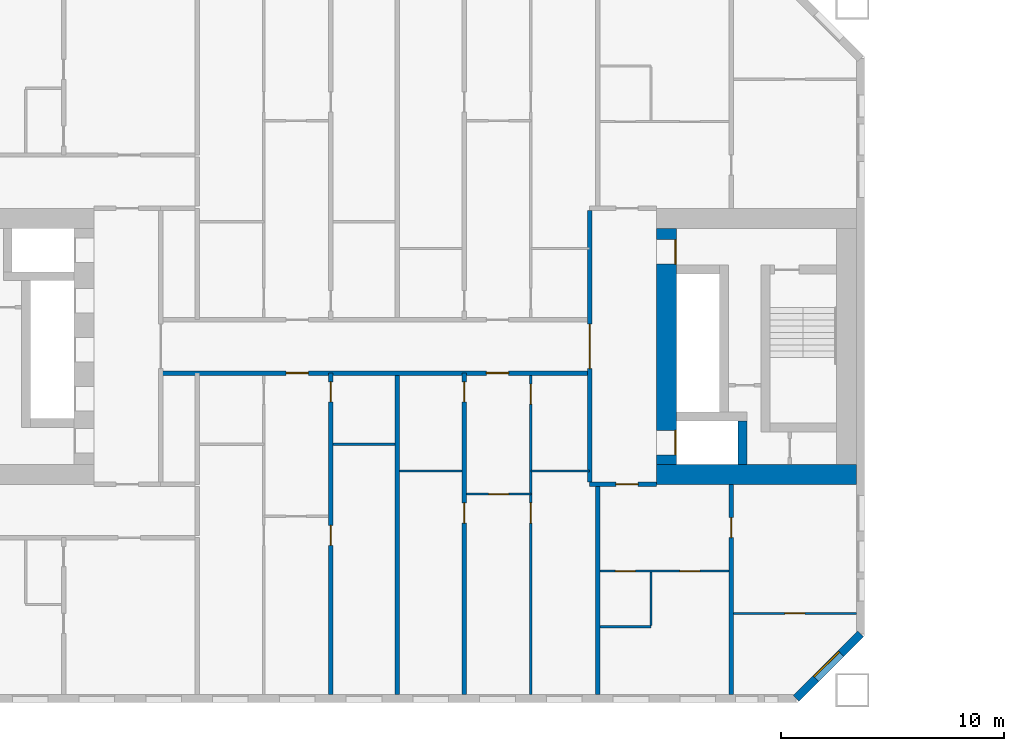
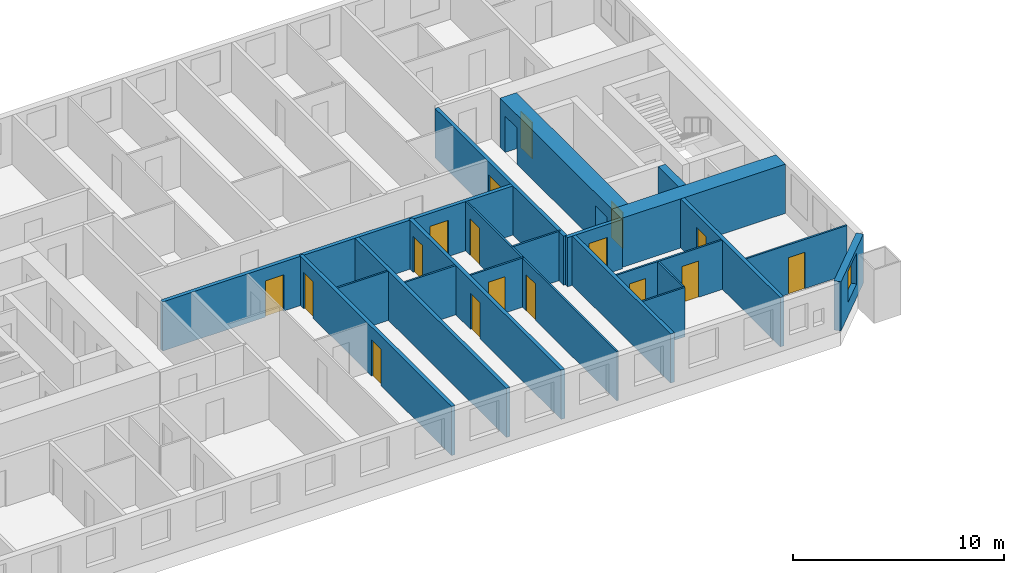
# One storey, part 6 of 16: 21 walls, 17 doors, 1 window, 18 openings.
"""IFC4 building model written with IfcOpenShell, lengths in metres."""

import ifcopenshell
import ifcopenshell.guid

model = None  # the IFC model being written
_history = None  # IfcOwnerHistory: only IFC2X3 demands one
_inside = {}  # id of a spatial element -> (the spatial element, [elements in it])
_under = {}  # id of a project, library or spatial element -> (it, [spatial elements below it])
_declared = {}  # id of a project -> (the project, [libraries it declares])
_typed = {}  # id of a type object -> (the type object, [elements of that type])
_made_of = {}  # id of a material, layer set ... -> (it, [elements and type objects made of it])


def new_model(schema):
    """Start an empty IFC model of exactly this schema.

    Asked for "IFC4X3", IfcOpenShell would pick the latest addendum, in which some entities
    have other attributes; the version numbers below select the first issue.
    IFC2X3 requires an IfcOwnerHistory on every rooted entity: one is made here for all.
    """
    global model, _history
    if schema == "IFC4X3":
        model = ifcopenshell.file(schema_version=(4, 3, 0, 0))
    else:
        model = ifcopenshell.file(schema=schema)
    _inside.clear()
    _under.clear()
    _declared.clear()
    _typed.clear()
    _made_of.clear()
    _history = None
    if model.schema == "IFC2X3":
        org = make("IfcOrganization", Name="unknown")
        user = make(
            "IfcPersonAndOrganization",
            ThePerson=make("IfcPerson", FamilyName="unknown"),
            TheOrganization=org,
        )
        app = make(
            "IfcApplication",
            ApplicationDeveloper=org,
            Version="unknown",
            ApplicationFullName="unknown",
            ApplicationIdentifier="unknown",
        )
        _history = make(
            "IfcOwnerHistory",
            OwningUser=user,
            OwningApplication=app,
            ChangeAction="ADDED",
            CreationDate=0,
        )
    return model


def make(cls, **values):
    """One entity of the class cls with the attributes given. An attribute that is None is left unset."""
    return model.create_entity(
        cls, **{name: value for name, value in values.items() if value is not None}
    )


def rooted(cls, **values):
    """An entity with a GlobalId (a new one), such as an element, a storey or a relation."""
    return make(cls, GlobalId=ifcopenshell.guid.new(), OwnerHistory=_history, **values)


def si_unit(unit_type, name, prefix=None):
    """IfcSIUnit, for example si_unit("LENGTHUNIT", "METRE", prefix="MILLI")."""
    return make("IfcSIUnit", UnitType=unit_type, Prefix=prefix, Name=name)


def assignment(units):
    """IfcUnitAssignment: the units of a project."""
    return None if units is None else make("IfcUnitAssignment", Units=units)


def point(xyz):
    """IfcCartesianPoint."""
    return None if xyz is None else make("IfcCartesianPoint", Coordinates=xyz)


def direction(xyz):
    """IfcDirection."""
    return None if xyz is None else make("IfcDirection", DirectionRatios=xyz)


def frame(location, z_axis=None, x_axis=None):
    """IfcAxis2Placement3D, a coordinate frame: its origin and axes. An axis left out is left unset."""
    return make(
        "IfcAxis2Placement3D",
        Location=point(location),
        Axis=direction(z_axis),
        RefDirection=direction(x_axis),
    )


def frame_2d(location, x_axis=None):
    """IfcAxis2Placement2D, a coordinate frame in the plane: its origin and x axis."""
    return make(
        "IfcAxis2Placement2D", Location=point(location), RefDirection=direction(x_axis)
    )


def origin():
    """The frame at (0, 0, 0) with its axes left unset."""
    return frame((0.0, 0.0, 0.0))


def place(relative_to, where):
    """IfcLocalPlacement: puts the frame where relative to a parent placement (None: the world)."""
    return make(
        "IfcLocalPlacement", PlacementRelTo=relative_to, RelativePlacement=where
    )


def context(
    kind, dimensions, precision=None, world=None, true_north=None, identifier=None
):
    """IfcGeometricRepresentationContext, for example the 3D "Model" context."""
    return make(
        "IfcGeometricRepresentationContext",
        ContextIdentifier=identifier,
        ContextType=kind,
        CoordinateSpaceDimension=dimensions,
        Precision=precision,
        WorldCoordinateSystem=world,
        TrueNorth=true_north,
    )


def subcontext(parent, identifier, kind, view, scale=None):
    """IfcGeometricRepresentationSubContext, for example "Body" below "Model"."""
    return make(
        "IfcGeometricRepresentationSubContext",
        ContextIdentifier=identifier,
        ContextType=kind,
        ParentContext=parent,
        TargetScale=scale,
        TargetView=view,
    )


def project(units=None, contexts=None):
    """IfcProject with its units and contexts."""
    return rooted(
        "IfcProject",
        Name="project",
        RepresentationContexts=contexts,
        UnitsInContext=assignment(units),
    )


def spatial(cls, under=None, at=None, **own):
    """A site, building, storey or space (cls), placed at a placement, below another one or the project."""
    s = rooted(cls, ObjectPlacement=at, **own)
    if under is not None:
        _under.setdefault(under.id(), (under, []))[1].append(s)
    return s


def profile(cls, at=None, kind="AREA", **sizes):
    """A parametric profile (cls). Its sizes go by their IFC names, for example OverallWidth=200.0."""
    return make(cls, ProfileType=kind, Position=at, **sizes)


def rectangle(**sizes):
    """IfcRectangleProfileDef."""
    return profile("IfcRectangleProfileDef", **sizes)


def extrude(swept, where, along, depth):
    """IfcExtrudedAreaSolid: the profile swept, set in the frame where, extruded along a direction by depth."""
    return make(
        "IfcExtrudedAreaSolid",
        SweptArea=swept,
        Position=where,
        ExtrudedDirection=direction(along),
        Depth=depth,
    )


def shape(context_of_items, identifier, shape_type, items):
    """IfcShapeRepresentation: the items that make up one representation, for example the "Body"."""
    return make(
        "IfcShapeRepresentation",
        ContextOfItems=context_of_items,
        RepresentationIdentifier=identifier,
        RepresentationType=shape_type,
        Items=items,
    )


def material(Name=None, Category=None):
    """IfcMaterial."""
    return make("IfcMaterial", Name=Name, Category=Category)


def layer(
    of_material, thickness, ventilated=None, Name=None, Category=None, Priority=None
):
    """IfcMaterialLayer: one layer of a wall or slab, of a material (None: an air gap)."""
    return make(
        "IfcMaterialLayer",
        Material=of_material,
        LayerThickness=thickness,
        IsVentilated=ventilated,
        Name=Name,
        Category=Category,
        Priority=Priority,
    )


def layer_set(layers, Name=None):
    """IfcMaterialLayerSet."""
    return make("IfcMaterialLayerSet", MaterialLayers=layers, LayerSetName=Name)


def made_of(thing, what):
    """Note that an element or type object is made of a material, layer set ...; save() writes the relation."""
    if what is not None:
        _made_of.setdefault(what.id(), (what, []))[1].append(thing)
    return thing


def type_object(cls, material=None, **own):
    """A type object (cls), such as IfcWallType, which elements share."""
    return made_of(rooted(cls, **own), material)


def element(
    cls,
    number,
    at=None,
    inside=None,
    cuts=None,
    type_object=None,
    material=None,
    context=None,
    identifier="Body",
    shape_type=None,
    held_by="IfcProductDefinitionShape",
    body=None,
    shapes=None,
    **own,
):
    """One element of the class cls, such as IfcWall. Its Tag is "e" and its number.

    at: its placement. inside: the storey or other place that contains it. cuts: it is an
    opening in that element (IfcRelVoidsElement). A single representation is given by context,
    identifier, shape_type and body (its items); several are given by shapes. held_by: the class
    of the entity that holds the representations. save() writes the other relations.
    """
    e = rooted(cls, Tag="e%d" % number, ObjectPlacement=at, **own)
    if body is not None:
        shapes = [shape(context, identifier, shape_type, body)]
    if shapes is not None:
        e.Representation = make(held_by, Representations=shapes)
    if inside is not None:
        _inside.setdefault(inside.id(), (inside, []))[1].append(e)
    if cuts is not None:
        rooted(
            "IfcRelVoidsElement", RelatingBuildingElement=cuts, RelatedOpeningElement=e
        )
    if type_object is not None:
        _typed.setdefault(type_object.id(), (type_object, []))[1].append(e)
    return made_of(e, material)


def fill(opening, filler):
    """IfcRelFillsElement: the door or window that sits in an opening."""
    return rooted(
        "IfcRelFillsElement",
        RelatingOpeningElement=opening,
        RelatedBuildingElement=filler,
    )


def aggregate(whole, parts):
    """IfcRelAggregates: a whole, such as a stair, and the parts it consists of."""
    return rooted("IfcRelAggregates", RelatingObject=whole, RelatedObjects=parts)


def save(model, path):
    """Write the relations noted so far, then the file.

    IfcRelAggregates (storeys below a building ...), IfcRelContainedInSpatialStructure (elements
    in a storey), IfcRelDefinesByType, IfcRelAssociatesMaterial and IfcRelDeclares: one each for
    every whole, place, type object, material and project.
    """
    for whole, parts in _under.values():
        aggregate(whole, parts)
    for where, things in _inside.values():
        rooted(
            "IfcRelContainedInSpatialStructure",
            RelatedElements=things,
            RelatingStructure=where,
        )
    for kind, things in _typed.values():
        rooted("IfcRelDefinesByType", RelatedObjects=things, RelatingType=kind)
    for what, things in _made_of.values():
        rooted("IfcRelAssociatesMaterial", RelatedObjects=things, RelatingMaterial=what)
    for by, libraries in _declared.values():
        rooted("IfcRelDeclares", RelatingContext=by, RelatedDefinitions=libraries)
    model.write(path)


model = new_model("IFC4")

# Units and contexts
model_context = context("Model", 3, precision=1e-05, world=origin(), true_north=direction((0.0, 1.0)))
body_context = subcontext(model_context, "Body", "Model", "MODEL_VIEW")
ifc_project = project(units=[si_unit("LENGTHUNIT", "METRE"), si_unit("AREAUNIT", "SQUARE_METRE"), si_unit("VOLUMEUNIT", "CUBIC_METRE"), si_unit("PLANEANGLEUNIT", "RADIAN"), si_unit("MASSUNIT", "GRAM", prefix="KILO")], contexts=[model_context])

# Site, building, storey
site_placement = place(None, origin())
site = spatial("IfcSite", under=ifc_project, at=site_placement, CompositionType="ELEMENT")
building_placement = place(site_placement, origin())
building = spatial("IfcBuilding", under=site, at=building_placement, Name="Tuart Gate Housing", CompositionType="ELEMENT")
storey_placement = place(building_placement, frame((0.0, 0.0, 19.5)))
storey = spatial("IfcBuildingStorey", under=building, at=storey_placement, Name="L04", CompositionType="ELEMENT", Elevation=19.5)

# Wall, opening, window
ifc_material_1 = material(Name="Brick", Category="masonry")
ifc_layer_1 = layer(ifc_material_1, 0.360107421875)
ifc_layer_set_1 = layer_set([ifc_layer_1], Name="Brick pier and spandrel wall 360")
wall_type_1 = type_object("IfcWallType", Name="Brick pier and spandrel wall 360", PredefinedType="STANDARD", material=ifc_layer_set_1)
wall_1_placement = place(storey_placement, frame((72.92529296875, 54.179931640625, 0.0), z_axis=(0.0, 0.0, 1.0), x_axis=(0.707106781187, 0.707106781187, 0.0)))
wall_1 = element("IfcWall", 1, at=wall_1_placement, inside=storey, type_object=wall_type_1, Name="External wall A-SE L04", PredefinedType="STANDARD", context=body_context, shape_type="SweptSolid", body=[
    extrude(rectangle(XDim=4.09375, YDim=0.360107421875, at=frame_2d((2.046875, 0.0))), origin(), (0.0, 0.0, 1.0), 2.85009765625),
])
opening_1_placement = place(wall_1_placement, frame((1.2470703125, 0.0, 0.800048828125)))
opening_1 = element("IfcOpeningElement", 2, at=opening_1_placement, cuts=wall_1, Name="Opening W1", PredefinedType="OPENING", context=body_context, shape_type="SweptSolid", body=[
    extrude(rectangle(XDim=1.60009765625, YDim=1.800048828125, at=frame_2d((0.800048828125, 0.89990234375))), frame((0.0, 0.18994140625, 0.0), z_axis=(0.0, -1.0, 0.0), x_axis=(1.0, 0.0, 0.0)), (0.0, 0.0, 1.0), 0.380126953125),
])
ifc_material_2 = material(Name="Aluminium frame with clear glass", Category="aluminium")
window_type = type_object("IfcWindowType", Name="Punched window 1600 x 1800", PartitioningType="SINGLE_PANEL", PredefinedType="WINDOW", material=ifc_material_2)
window_placement = place(opening_1_placement, origin())
window = element("IfcWindow", 3, at=window_placement, inside=storey, type_object=window_type, Name="Window W1", OverallHeight=1.800048828125, OverallWidth=1.60009765625, PartitioningType="SINGLE_PANEL", PredefinedType="WINDOW", context=body_context, shape_type="SweptSolid", body=[
    extrude(rectangle(XDim=1.60009765625, YDim=1.800048828125, at=frame_2d((0.800048828125, 0.89990234375))), frame((0.0, 0.150146484375, 0.0), z_axis=(0.0, -1.0, 0.0), x_axis=(1.0, 0.0, 0.0)), (0.0, 0.0, 1.0), 0.06005859375),
])
fill(opening_1, window)

# Wall
ifc_material_3 = material(Name="Concrete C60", Category="concrete")
ifc_layer_2 = layer(ifc_material_3, 0.39990234375)
ifc_layer_set_2 = layer_set([ifc_layer_2], Name="Core wall 400 C60")
wall_type_2 = type_object("IfcWallType", Name="Core wall 400 C60", PredefinedType="SHEAR", material=ifc_layer_set_2)
wall_2_placement = place(storey_placement, frame((70.510009765625, 64.699951171875, 0.0), z_axis=(0.0, 0.0, 1.0), x_axis=(0.0, 1.0, 0.0)))
element("IfcWall", 4, at=wall_2_placement, inside=storey, type_object=wall_type_2, Name="Core wall AG.7", PredefinedType="SHEAR", context=body_context, shape_type="SweptSolid", body=[
    extrude(rectangle(XDim=1.949951171875, YDim=0.39990234375, at=frame_2d((0.97509765625, 0.0))), origin(), (0.0, 0.0, 1.0), 2.85009765625),
])

# Wall, openings, doors
ifc_material_4 = material(Name="Concrete C60", Category="concrete")
ifc_layer_3 = layer(ifc_material_4, 0.89990234375)
ifc_layer_set_3 = layer_set([ifc_layer_3], Name="Core wall 900 C60")
wall_type_3 = type_object("IfcWallType", Name="Core wall 900 C60", PredefinedType="SHEAR", material=ifc_layer_set_3)
wall_3_placement = place(storey_placement, frame((67.090087890625, 64.699951171875, 0.0), z_axis=(0.0, 0.0, 1.0), x_axis=(0.0, 1.0, 0.0)))
wall_3 = element("IfcWall", 5, at=wall_3_placement, inside=storey, type_object=wall_type_3, Name="Core wall AG front", PredefinedType="SHEAR", context=body_context, shape_type="SweptSolid", body=[
    extrude(rectangle(XDim=10.60009765625, YDim=0.89990234375, at=frame_2d((5.300048828125, 0.0))), origin(), (0.0, 0.0, 1.0), 2.85009765625),
])
opening_2_placement = place(wall_3_placement, frame((0.425048828125, 0.0, 0.0)))
opening_2 = element("IfcOpeningElement", 6, at=opening_2_placement, cuts=wall_3, Name="Opening LD-FA1", PredefinedType="OPENING", context=body_context, shape_type="SweptSolid", body=[
    extrude(rectangle(XDim=1.10009765625, YDim=2.10009765625, at=frame_2d((0.550048828125, 1.050048828125))), frame((0.0, 0.4599609375, 0.0), z_axis=(0.0, -1.0, 0.0), x_axis=(1.0, 0.0, 0.0)), (0.0, 0.0, 1.0), 0.919921875),
])
opening_3_placement = place(wall_3_placement, frame((9.0, 0.0, 0.0)))
opening_3 = element("IfcOpeningElement", 7, at=opening_3_placement, cuts=wall_3, Name="Opening D378", PredefinedType="OPENING", context=body_context, shape_type="SweptSolid", body=[
    extrude(rectangle(XDim=1.10009765625, YDim=2.10009765625, at=frame_2d((0.550048828125, 1.050048828125))), frame((0.0, 0.4599609375, 0.0), z_axis=(0.0, -1.0, 0.0), x_axis=(1.0, 0.0, 0.0)), (0.0, 0.0, 1.0), 0.919921875),
])
ifc_material_5 = material(Name="Stainless steel", Category="steel")
door_type_1 = type_object("IfcDoorType", Name="Landing door 1100 x 2100", OperationType="DOUBLE_DOOR_SLIDING", PredefinedType="DOOR", material=ifc_material_5)
door_1_placement = place(opening_2_placement, origin())
door_1 = element("IfcDoor", 8, at=door_1_placement, inside=storey, type_object=door_type_1, Name="Lift landing door FA1", OperationType="DOUBLE_DOOR_SLIDING", OverallHeight=2.10009765625, OverallWidth=1.10009765625, PredefinedType="DOOR", context=body_context, shape_type="SweptSolid", body=[
    extrude(rectangle(XDim=1.10009765625, YDim=2.10009765625, at=frame_2d((0.550048828125, 1.050048828125))), frame((0.0, -0.384765625, 0.0), z_axis=(0.0, -1.0, 0.0), x_axis=(1.0, 0.0, 0.0)), (0.0, 0.0, 1.0), 0.050048828125),
])
fill(opening_2, door_1)
ifc_material_6 = material(Name="Steel fire door", Category="steel")
door_type_2 = type_object("IfcDoorType", Name="Lobby door 1100 x 2100 RH", OperationType="SINGLE_SWING_RIGHT", PredefinedType="DOOR", material=ifc_material_6)
door_2_placement = place(opening_3_placement, frame((1.10009765625, 0.0, 0.0), z_axis=(0.0, 0.0, 1.0), x_axis=(-1.0, 0.0, 0.0)))
door_2 = element("IfcDoor", 9, at=door_2_placement, inside=storey, type_object=door_type_2, Name="Lobby entry door AG.EN", OperationType="SINGLE_SWING_RIGHT", OverallHeight=2.10009765625, OverallWidth=1.10009765625, PredefinedType="DOOR", context=body_context, shape_type="SweptSolid", body=[
    extrude(rectangle(XDim=1.10009765625, YDim=2.10009765625, at=frame_2d((0.550048828125, 1.050048828125))), frame((0.0, 0.434814453125, 0.0), z_axis=(0.0, -1.0, 0.0), x_axis=(1.0, 0.0, 0.0)), (0.0, 0.0, 1.0), 0.050048828125),
])
fill(opening_3, door_2)

# Wall
wall_4_placement = place(storey_placement, frame((66.639892578125, 64.25, 0.0), z_axis=(0.0, 0.0, 1.0), x_axis=(1.0, 0.0, 0.0)))
element("IfcWall", 10, at=wall_4_placement, inside=storey, type_object=wall_type_3, Name="Core wall AG south", PredefinedType="SHEAR", context=body_context, shape_type="SweptSolid", body=[
    extrude(rectangle(XDim=9.0, YDim=0.89990234375, at=frame_2d((4.5, 0.0))), origin(), (0.0, 0.0, 1.0), 2.85009765625),
])

# Wall, openings, doors
ifc_material_7 = material(Name="Concrete masonry 15 MPa", Category="masonry")
ifc_layer_4 = layer(ifc_material_7, 0.199951171875)
ifc_layer_set_4 = layer_set([ifc_layer_4], Name="Corridor wall masonry 200")
wall_type_4 = type_object("IfcWallType", Name="Corridor wall masonry 200", PredefinedType="PARTITIONING", material=ifc_layer_set_4)
wall_5_placement = place(storey_placement, frame((44.360107421875, 68.800048828125, 0.0), z_axis=(0.0, 0.0, 1.0), x_axis=(1.0, 0.0, 0.0)))
wall_5 = element("IfcWall", 11, at=wall_5_placement, inside=storey, type_object=wall_type_4, Name="Corridor wall masonry 200", PredefinedType="PARTITIONING", context=body_context, shape_type="SweptSolid", body=[
    extrude(rectangle(XDim=19.27978515625, YDim=0.199951171875, at=frame_2d((9.639892578125, 0.0))), origin(), (0.0, 0.0, 1.0), 2.85009765625),
])
opening_4_placement = place(wall_5_placement, frame((14.639892578125, 0.0, 0.0)))
opening_4 = element("IfcOpeningElement", 12, at=opening_4_placement, cuts=wall_5, Name="Opening D379", PredefinedType="OPENING", context=body_context, shape_type="SweptSolid", body=[
    extrude(rectangle(XDim=1.0, YDim=2.10009765625, at=frame_2d((0.5, 1.050048828125))), frame((0.0, 0.10986328125, 0.0), z_axis=(0.0, -1.0, 0.0), x_axis=(1.0, 0.0, 0.0)), (0.0, 0.0, 1.0), 0.219970703125),
])
opening_5_placement = place(wall_5_placement, frame((5.639892578125, 0.0, 0.0)))
opening_5 = element("IfcOpeningElement", 13, at=opening_5_placement, cuts=wall_5, Name="Opening D380", PredefinedType="OPENING", context=body_context, shape_type="SweptSolid", body=[
    extrude(rectangle(XDim=1.0, YDim=2.10009765625, at=frame_2d((0.5, 1.050048828125))), frame((0.0, 0.10986328125, 0.0), z_axis=(0.0, -1.0, 0.0), x_axis=(1.0, 0.0, 0.0)), (0.0, 0.0, 1.0), 0.219970703125),
])
ifc_material_8 = material(Name="Timber door leaf in steel frame", Category="steel")
door_type_3 = type_object("IfcDoorType", Name="Flat entrance door 1000 RH", OperationType="SINGLE_SWING_RIGHT", PredefinedType="DOOR", material=ifc_material_8)
door_3_placement = place(opening_4_placement, frame((1.0, 0.0, 0.0), z_axis=(0.0, 0.0, 1.0), x_axis=(-1.0, 0.0, 0.0)))
door_3 = element("IfcDoor", 14, at=door_3_placement, inside=storey, type_object=door_type_3, Name="Flat entrance door", OperationType="SINGLE_SWING_RIGHT", OverallHeight=2.10009765625, OverallWidth=1.0, PredefinedType="DOOR", context=body_context, shape_type="SweptSolid", body=[
    extrude(rectangle(XDim=1.0, YDim=2.10009765625, at=frame_2d((0.5, 1.050048828125))), frame((0.0, 0.025146484375, 0.0), z_axis=(0.0, -1.0, 0.0), x_axis=(1.0, 0.0, 0.0)), (0.0, 0.0, 1.0), 0.050048828125),
])
fill(opening_4, door_3)
door_4_placement = place(opening_5_placement, frame((1.0, 0.0, 0.0), z_axis=(0.0, 0.0, 1.0), x_axis=(-1.0, 0.0, 0.0)))
door_4 = element("IfcDoor", 15, at=door_4_placement, inside=storey, type_object=door_type_3, Name="Flat entrance door", OperationType="SINGLE_SWING_RIGHT", OverallHeight=2.10009765625, OverallWidth=1.0, PredefinedType="DOOR", context=body_context, shape_type="SweptSolid", body=[
    extrude(rectangle(XDim=1.0, YDim=2.10009765625, at=frame_2d((0.5, 1.050048828125))), frame((0.0, 0.025146484375, 0.0), z_axis=(0.0, -1.0, 0.0), x_axis=(1.0, 0.0, 0.0)), (0.0, 0.0, 1.0), 0.050048828125),
])
fill(opening_5, door_4)

# Wall, opening, door
ifc_material_9 = material(Name="Concrete masonry 15 MPa", Category="masonry")
ifc_layer_5 = layer(ifc_material_9, 0.199951171875)
ifc_layer_set_5 = layer_set([ifc_layer_5], Name="Enclosure wall masonry 200")
wall_type_5 = type_object("IfcWallType", Name="Enclosure wall masonry 200", PredefinedType="PARTITIONING", material=ifc_layer_set_5)
wall_6_placement = place(storey_placement, frame((63.639892578125, 63.800048828125, 0.0), z_axis=(0.0, 0.0, 1.0), x_axis=(1.0, 0.0, 0.0)))
wall_6 = element("IfcWall", 16, at=wall_6_placement, inside=storey, type_object=wall_type_5, Name="Enclosure wall masonry 200", PredefinedType="PARTITIONING", context=body_context, shape_type="SweptSolid", body=[
    extrude(rectangle(XDim=3.0, YDim=0.199951171875, at=frame_2d((1.5, 0.0))), origin(), (0.0, 0.0, 1.0), 2.85009765625),
])
opening_6_placement = place(wall_6_placement, frame((1.179931640625, 0.0, 0.0)))
opening_6 = element("IfcOpeningElement", 17, at=opening_6_placement, cuts=wall_6, Name="Opening D386", PredefinedType="OPENING", context=body_context, shape_type="SweptSolid", body=[
    extrude(rectangle(XDim=1.0, YDim=2.10009765625, at=frame_2d((0.5, 1.050048828125))), frame((0.0, 0.10986328125, 0.0), z_axis=(0.0, -1.0, 0.0), x_axis=(1.0, 0.0, 0.0)), (0.0, 0.0, 1.0), 0.219970703125),
])
door_5_placement = place(opening_6_placement, frame((1.0, 0.0, 0.0), z_axis=(0.0, 0.0, 1.0), x_axis=(-1.0, 0.0, 0.0)))
door_5 = element("IfcDoor", 18, at=door_5_placement, inside=storey, type_object=door_type_3, Name="Flat entrance door", OperationType="SINGLE_SWING_RIGHT", OverallHeight=2.10009765625, OverallWidth=1.0, PredefinedType="DOOR", context=body_context, shape_type="SweptSolid", body=[
    extrude(rectangle(XDim=1.0, YDim=2.10009765625, at=frame_2d((0.5, 1.050048828125))), frame((0.0, 0.025146484375, 0.0), z_axis=(0.0, -1.0, 0.0), x_axis=(1.0, 0.0, 0.0)), (0.0, 0.0, 1.0), 0.050048828125),
])
fill(opening_6, door_5)

ifc_material_10 = material(Name="Plasterboard partition")
ifc_layer_6 = layer(ifc_material_10, 0.199951171875)
ifc_layer_set_6 = layer_set([ifc_layer_6], Name="Lobby wall 200")
wall_type_6 = type_object("IfcWallType", Name="Lobby wall 200", PredefinedType="PARTITIONING", material=ifc_layer_set_6)
wall_7_placement = place(storey_placement, frame((63.639892578125, 63.89990234375, 0.0), z_axis=(0.0, 0.0, 1.0), x_axis=(0.0, 1.0, 0.0)))
wall_7 = element("IfcWall", 19, at=wall_7_placement, inside=storey, type_object=wall_type_6, Name="Lift lobby wall AG", PredefinedType="PARTITIONING", context=body_context, shape_type="SweptSolid", body=[
    extrude(rectangle(XDim=12.2001953125, YDim=0.199951171875, at=frame_2d((6.10009765625, 0.0))), origin(), (0.0, 0.0, 1.0), 2.85009765625),
])
opening_7_placement = place(wall_7_placement, frame((5.10009765625, 0.0, 0.0)))
opening_7 = element("IfcOpeningElement", 20, at=opening_7_placement, cuts=wall_7, Name="Opening D377", PredefinedType="OPENING", context=body_context, shape_type="SweptSolid", body=[
    extrude(rectangle(XDim=2.0, YDim=2.10009765625, at=frame_2d((1.0, 1.050048828125))), frame((0.0, 0.10986328125, 0.0), z_axis=(0.0, -1.0, 0.0), x_axis=(1.0, 0.0, 0.0)), (0.0, 0.0, 1.0), 0.219970703125),
])
ifc_material_11 = material(Name="Steel fire door", Category="steel")
door_type_4 = type_object("IfcDoorType", Name="Smoke door 2000 x 2100", OperationType="DOUBLE_DOOR_SINGLE_SWING", PredefinedType="DOOR", material=ifc_material_11)
door_6_placement = place(opening_7_placement, frame((2.0, 0.0, 0.0), z_axis=(0.0, 0.0, 1.0), x_axis=(-1.0, 0.0, 0.0)))
door_6 = element("IfcDoor", 21, at=door_6_placement, inside=storey, type_object=door_type_4, Name="Lift lobby smoke door AG", OperationType="DOUBLE_DOOR_SINGLE_SWING", OverallHeight=2.10009765625, OverallWidth=2.0, PredefinedType="DOOR", context=body_context, shape_type="SweptSolid", body=[
    extrude(rectangle(XDim=2.0, YDim=2.10009765625, at=frame_2d((1.0, 1.050048828125))), frame((0.0, 0.025146484375, 0.0), z_axis=(0.0, -1.0, 0.0), x_axis=(1.0, 0.0, 0.0)), (0.0, 0.0, 1.0), 0.050048828125),
])
fill(opening_7, door_6)

# Wall
ifc_material_12 = material(Name="Gypsum board on steel studs", Category="steel")
ifc_layer_7 = layer(ifc_material_12, 0.10009765625)
ifc_layer_set_7 = layer_set([ifc_layer_7], Name="Partition 100")
wall_type_7 = type_object("IfcWallType", Name="Partition 100", PredefinedType="PARTITIONING", material=ifc_layer_set_7)
wall_8_placement = place(storey_placement, frame((64.10009765625, 57.39990234375, 0.0), z_axis=(0.0, 0.0, 1.0), x_axis=(1.0, 0.0, 0.0)))
element("IfcWall", 22, at=wall_8_placement, inside=storey, type_object=wall_type_7, Name="Partition 100", PredefinedType="PARTITIONING", context=body_context, shape_type="SweptSolid", body=[
    extrude(rectangle(XDim=2.2998046875, YDim=0.10009765625, at=frame_2d((1.14990234375, 0.0))), origin(), (0.0, 0.0, 1.0), 2.85009765625),
])

# Wall, opening, door
wall_9_placement = place(storey_placement, frame((70.10009765625, 58.0, 0.0), z_axis=(0.0, 0.0, 1.0), x_axis=(1.0, 0.0, 0.0)))
wall_9 = element("IfcWall", 23, at=wall_9_placement, inside=storey, type_object=wall_type_7, Name="Partition 100", PredefinedType="PARTITIONING", context=body_context, shape_type="SweptSolid", body=[
    extrude(rectangle(XDim=5.539794921875, YDim=0.10009765625, at=frame_2d((2.77001953125, 0.0))), origin(), (0.0, 0.0, 1.0), 2.85009765625),
])
opening_8_placement = place(wall_9_placement, frame((2.320068359375, 0.0, 0.0)))
opening_8 = element("IfcOpeningElement", 24, at=opening_8_placement, cuts=wall_9, Name="Opening D404", PredefinedType="OPENING", context=body_context, shape_type="SweptSolid", body=[
    extrude(rectangle(XDim=0.89990234375, YDim=2.10009765625, at=frame_2d((0.449951171875, 1.050048828125))), frame((0.0, 0.06005859375, 0.0), z_axis=(0.0, -1.0, 0.0), x_axis=(1.0, 0.0, 0.0)), (0.0, 0.0, 1.0), 0.1201171875),
])
ifc_material_13 = material(Name="Timber door leaf in steel frame", Category="steel")
door_type_5 = type_object("IfcDoorType", Name="Internal door 900", OperationType="SINGLE_SWING_LEFT", PredefinedType="DOOR", material=ifc_material_13)
door_7_placement = place(opening_8_placement, frame((0.89990234375, 0.0, 0.0), z_axis=(0.0, 0.0, 1.0), x_axis=(-1.0, 0.0, 0.0)))
door_7 = element("IfcDoor", 25, at=door_7_placement, inside=storey, type_object=door_type_5, Name="Internal door", OperationType="SINGLE_SWING_LEFT", OverallHeight=2.10009765625, OverallWidth=0.89990234375, PredefinedType="DOOR", context=body_context, shape_type="SweptSolid", body=[
    extrude(rectangle(XDim=0.89990234375, YDim=2.10009765625, at=frame_2d((0.449951171875, 1.050048828125))), frame((0.0, 0.025146484375, 0.0), z_axis=(0.0, -1.0, 0.0), x_axis=(1.0, 0.0, 0.0)), (0.0, 0.0, 1.0), 0.050048828125),
])
fill(opening_8, door_7)

# Wall, openings, doors
wall_10_placement = place(storey_placement, frame((64.10009765625, 59.89990234375, 0.0), z_axis=(0.0, 0.0, 1.0), x_axis=(1.0, 0.0, 0.0)))
wall_10 = element("IfcWall", 26, at=wall_10_placement, inside=storey, type_object=wall_type_7, Name="Partition 100", PredefinedType="PARTITIONING", context=body_context, shape_type="SweptSolid", body=[
    extrude(rectangle(XDim=5.7998046875, YDim=0.10009765625, at=frame_2d((2.89990234375, 0.0))), origin(), (0.0, 0.0, 1.0), 2.85009765625),
])
opening_9_placement = place(wall_10_placement, frame((3.60009765625, 0.0, 0.0)))
opening_9 = element("IfcOpeningElement", 27, at=opening_9_placement, cuts=wall_10, Name="Opening D401", PredefinedType="OPENING", context=body_context, shape_type="SweptSolid", body=[
    extrude(rectangle(XDim=0.89990234375, YDim=2.10009765625, at=frame_2d((0.449951171875, 1.050048828125))), frame((0.0, 0.06005859375, 0.0), z_axis=(0.0, -1.0, 0.0), x_axis=(1.0, 0.0, 0.0)), (0.0, 0.0, 1.0), 0.1201171875),
])
opening_10_placement = place(wall_10_placement, frame((0.699951171875, 0.0, 0.0)))
opening_10 = element("IfcOpeningElement", 28, at=opening_10_placement, cuts=wall_10, Name="Opening D400", PredefinedType="OPENING", context=body_context, shape_type="SweptSolid", body=[
    extrude(rectangle(XDim=0.89990234375, YDim=2.10009765625, at=frame_2d((0.449951171875, 1.050048828125))), frame((0.0, 0.06005859375, 0.0), z_axis=(0.0, -1.0, 0.0), x_axis=(1.0, 0.0, 0.0)), (0.0, 0.0, 1.0), 0.1201171875),
])
ifc_material_14 = material(Name="Timber door leaf in steel frame", Category="steel")
door_type_6 = type_object("IfcDoorType", Name="Bathroom door 900", OperationType="SINGLE_SWING_LEFT", PredefinedType="DOOR", material=ifc_material_14)
door_8_placement = place(opening_10_placement, frame((0.89990234375, 0.0, 0.0), z_axis=(0.0, 0.0, 1.0), x_axis=(-1.0, 0.0, 0.0)))
door_8 = element("IfcDoor", 29, at=door_8_placement, inside=storey, type_object=door_type_6, Name="Bathroom door", OperationType="SINGLE_SWING_LEFT", OverallHeight=2.10009765625, OverallWidth=0.89990234375, PredefinedType="DOOR", context=body_context, shape_type="SweptSolid", body=[
    extrude(rectangle(XDim=0.89990234375, YDim=2.10009765625, at=frame_2d((0.449951171875, 1.050048828125))), frame((0.0, 0.025146484375, 0.0), z_axis=(0.0, -1.0, 0.0), x_axis=(1.0, 0.0, 0.0)), (0.0, 0.0, 1.0), 0.050048828125),
])
fill(opening_10, door_8)
ifc_material_15 = material(Name="Timber door leaf in steel frame", Category="steel")
door_type_7 = type_object("IfcDoorType", Name="Internal door 900 RH", OperationType="SINGLE_SWING_RIGHT", PredefinedType="DOOR", material=ifc_material_15)
door_9_placement = place(opening_9_placement, frame((0.89990234375, 0.0, 0.0), z_axis=(0.0, 0.0, 1.0), x_axis=(-1.0, 0.0, 0.0)))
door_9 = element("IfcDoor", 30, at=door_9_placement, inside=storey, type_object=door_type_7, Name="Internal door", OperationType="SINGLE_SWING_RIGHT", OverallHeight=2.10009765625, OverallWidth=0.89990234375, PredefinedType="DOOR", context=body_context, shape_type="SweptSolid", body=[
    extrude(rectangle(XDim=0.89990234375, YDim=2.10009765625, at=frame_2d((0.449951171875, 1.050048828125))), frame((0.0, 0.025146484375, 0.0), z_axis=(0.0, -1.0, 0.0), x_axis=(1.0, 0.0, 0.0)), (0.0, 0.0, 1.0), 0.050048828125),
])
fill(opening_9, door_9)

# Wall, opening, door
wall_11_placement = place(storey_placement, frame((58.10009765625, 63.360107421875, 0.0), z_axis=(0.0, 0.0, 1.0), x_axis=(1.0, 0.0, 0.0)))
wall_11 = element("IfcWall", 31, at=wall_11_placement, inside=storey, type_object=wall_type_7, Name="Partition 100", PredefinedType="PARTITIONING", context=body_context, shape_type="SweptSolid", body=[
    extrude(rectangle(XDim=2.89990234375, YDim=0.10009765625, at=frame_2d((1.449951171875, 0.0))), origin(), (0.0, 0.0, 1.0), 2.85009765625),
])
opening_11_placement = place(wall_11_placement, frame((1.0, 0.0, 0.0)))
opening_11 = element("IfcOpeningElement", 32, at=opening_11_placement, cuts=wall_11, Name="Opening D387", PredefinedType="OPENING", context=body_context, shape_type="SweptSolid", body=[
    extrude(rectangle(XDim=0.89990234375, YDim=2.10009765625, at=frame_2d((0.449951171875, 1.050048828125))), frame((0.0, 0.06005859375, 0.0), z_axis=(0.0, -1.0, 0.0), x_axis=(1.0, 0.0, 0.0)), (0.0, 0.0, 1.0), 0.1201171875),
])
door_10_placement = place(opening_11_placement, origin())
door_10 = element("IfcDoor", 33, at=door_10_placement, inside=storey, type_object=door_type_7, Name="Internal door", OperationType="SINGLE_SWING_RIGHT", OverallHeight=2.10009765625, OverallWidth=0.89990234375, PredefinedType="DOOR", context=body_context, shape_type="SweptSolid", body=[
    extrude(rectangle(XDim=0.89990234375, YDim=2.10009765625, at=frame_2d((0.449951171875, 1.050048828125))), frame((0.0, 0.02490234375, 0.0), z_axis=(0.0, -1.0, 0.0), x_axis=(1.0, 0.0, 0.0)), (0.0, 0.0, 1.0), 0.050048828125),
])
fill(opening_11, door_10)

# Walls
wall_12_placement = place(storey_placement, frame((55.10009765625, 64.39990234375, 0.0), z_axis=(0.0, 0.0, 1.0), x_axis=(1.0, 0.0, 0.0)))
element("IfcWall", 34, at=wall_12_placement, inside=storey, type_object=wall_type_7, Name="Partition 100", PredefinedType="PARTITIONING", context=body_context, shape_type="SweptSolid", body=[
    extrude(rectangle(XDim=2.7998046875, YDim=0.10009765625, at=frame_2d((1.39990234375, 0.0))), origin(), (0.0, 0.0, 1.0), 2.85009765625),
])
wall_13_placement = place(storey_placement, frame((61.0, 64.39990234375, 0.0), z_axis=(0.0, 0.0, 1.0), x_axis=(1.0, 0.0, 0.0)))
element("IfcWall", 35, at=wall_13_placement, inside=storey, type_object=wall_type_7, Name="Partition 100", PredefinedType="PARTITIONING", context=body_context, shape_type="SweptSolid", body=[
    extrude(rectangle(XDim=2.639892578125, YDim=0.10009765625, at=frame_2d((1.31982421875, 0.0))), origin(), (0.0, 0.0, 1.0), 2.85009765625),
])
wall_14_placement = place(storey_placement, frame((52.10009765625, 65.60009765625, 0.0), z_axis=(0.0, 0.0, 1.0), x_axis=(1.0, 0.0, 0.0)))
element("IfcWall", 36, at=wall_14_placement, inside=storey, type_object=wall_type_7, Name="Partition 100", PredefinedType="PARTITIONING", context=body_context, shape_type="SweptSolid", body=[
    extrude(rectangle(XDim=2.7998046875, YDim=0.10009765625, at=frame_2d((1.39990234375, 0.0))), origin(), (0.0, 0.0, 1.0), 2.85009765625),
])

# Wall, openings, doors
wall_15_placement = place(storey_placement, frame((61.0, 54.360107421875, 0.0), z_axis=(0.0, 0.0, 1.0), x_axis=(0.0, 1.0, 0.0)))
wall_15 = element("IfcWall", 37, at=wall_15_placement, inside=storey, type_object=wall_type_7, Name="Partition 100", PredefinedType="PARTITIONING", context=body_context, shape_type="SweptSolid", body=[
    extrude(rectangle(XDim=14.33984375, YDim=0.10009765625, at=frame_2d((7.169921875, 0.0))), origin(), (0.0, 0.0, 1.0), 2.85009765625),
])
opening_12_placement = place(wall_15_placement, frame((7.699951171875, 0.0, 0.0)))
opening_12 = element("IfcOpeningElement", 38, at=opening_12_placement, cuts=wall_15, Name="Opening D396", PredefinedType="OPENING", context=body_context, shape_type="SweptSolid", body=[
    extrude(rectangle(XDim=0.89990234375, YDim=2.10009765625, at=frame_2d((0.449951171875, 1.050048828125))), frame((0.0, 0.06005859375, 0.0), z_axis=(0.0, -1.0, 0.0), x_axis=(1.0, 0.0, 0.0)), (0.0, 0.0, 1.0), 0.1201171875),
])
opening_13_placement = place(wall_15_placement, frame((13.0400390625, 0.0, 0.0)))
opening_13 = element("IfcOpeningElement", 39, at=opening_13_placement, cuts=wall_15, Name="Opening D395", PredefinedType="OPENING", context=body_context, shape_type="SweptSolid", body=[
    extrude(rectangle(XDim=0.89990234375, YDim=2.10009765625, at=frame_2d((0.449951171875, 1.050048828125))), frame((0.0, 0.06005859375, 0.0), z_axis=(0.0, -1.0, 0.0), x_axis=(1.0, 0.0, 0.0)), (0.0, 0.0, 1.0), 0.1201171875),
])
door_11_placement = place(opening_13_placement, frame((0.89990234375, 0.0, 0.0), z_axis=(0.0, 0.0, 1.0), x_axis=(-1.0, 0.0, 0.0)))
door_11 = element("IfcDoor", 40, at=door_11_placement, inside=storey, type_object=door_type_6, Name="Bathroom door", OperationType="SINGLE_SWING_LEFT", OverallHeight=2.10009765625, OverallWidth=0.89990234375, PredefinedType="DOOR", context=body_context, shape_type="SweptSolid", body=[
    extrude(rectangle(XDim=0.89990234375, YDim=2.10009765625, at=frame_2d((0.449951171875, 1.050048828125))), frame((0.0, 0.025146484375, 0.0), z_axis=(0.0, -1.0, 0.0), x_axis=(1.0, 0.0, 0.0)), (0.0, 0.0, 1.0), 0.050048828125),
])
fill(opening_13, door_11)
door_12_placement = place(opening_12_placement, frame((0.89990234375, 0.0, 0.0), z_axis=(0.0, 0.0, 1.0), x_axis=(-1.0, 0.0, 0.0)))
door_12 = element("IfcDoor", 41, at=door_12_placement, inside=storey, type_object=door_type_5, Name="Internal door", OperationType="SINGLE_SWING_LEFT", OverallHeight=2.10009765625, OverallWidth=0.89990234375, PredefinedType="DOOR", context=body_context, shape_type="SweptSolid", body=[
    extrude(rectangle(XDim=0.89990234375, YDim=2.10009765625, at=frame_2d((0.449951171875, 1.050048828125))), frame((0.0, 0.025146484375, 0.0), z_axis=(0.0, -1.0, 0.0), x_axis=(1.0, 0.0, 0.0)), (0.0, 0.0, 1.0), 0.050048828125),
])
fill(opening_12, door_12)

# Wall
wall_16_placement = place(storey_placement, frame((66.39990234375, 57.449951171875, 0.0), z_axis=(0.0, 0.0, 1.0), x_axis=(0.0, 1.0, 0.0)))
element("IfcWall", 42, at=wall_16_placement, inside=storey, type_object=wall_type_7, Name="Partition 100", PredefinedType="PARTITIONING", context=body_context, shape_type="SweptSolid", body=[
    extrude(rectangle(XDim=2.400146484375, YDim=0.10009765625, at=frame_2d((1.2001953125, 0.0))), origin(), (0.0, 0.0, 1.0), 2.85009765625),
])

# Wall, openings, doors
ifc_material_16 = material(Name="Concrete C40", Category="concrete")
ifc_layer_8 = layer(ifc_material_16, 0.199951171875)
ifc_layer_set_8 = layer_set([ifc_layer_8], Name="Party wall concrete C40 200")
wall_type_8 = type_object("IfcWallType", Name="Party wall concrete C40 200", PredefinedType="SOLIDWALL", material=ifc_layer_set_8)
wall_17_placement = place(storey_placement, frame((52.0, 54.360107421875, 0.0), z_axis=(0.0, 0.0, 1.0), x_axis=(0.0, 1.0, 0.0)))
wall_17 = element("IfcWall", 43, at=wall_17_placement, inside=storey, type_object=wall_type_8, Name="Party wall concrete C40 200", PredefinedType="SOLIDWALL", context=body_context, shape_type="SweptSolid", body=[
    extrude(rectangle(XDim=14.43994140625, YDim=0.199951171875, at=frame_2d((7.219970703125, 0.0))), origin(), (0.0, 0.0, 1.0), 2.85009765625),
])
opening_14_placement = place(wall_17_placement, frame((6.699951171875, 0.0, 0.0)))
opening_14 = element("IfcOpeningElement", 44, at=opening_14_placement, cuts=wall_17, Name="Opening D390", PredefinedType="OPENING", context=body_context, shape_type="SweptSolid", body=[
    extrude(rectangle(XDim=0.89990234375, YDim=2.10009765625, at=frame_2d((0.449951171875, 1.050048828125))), frame((0.0, 0.10986328125, 0.0), z_axis=(0.0, -1.0, 0.0), x_axis=(1.0, 0.0, 0.0)), (0.0, 0.0, 1.0), 0.219970703125),
])
opening_15_placement = place(wall_17_placement, frame((13.139892578125, 0.0, 0.0)))
opening_15 = element("IfcOpeningElement", 45, at=opening_15_placement, cuts=wall_17, Name="Opening D389", PredefinedType="OPENING", context=body_context, shape_type="SweptSolid", body=[
    extrude(rectangle(XDim=0.89990234375, YDim=2.10009765625, at=frame_2d((0.449951171875, 1.050048828125))), frame((0.0, 0.10986328125, 0.0), z_axis=(0.0, -1.0, 0.0), x_axis=(1.0, 0.0, 0.0)), (0.0, 0.0, 1.0), 0.219970703125),
])
door_13_placement = place(opening_15_placement, frame((0.89990234375, 0.0, 0.0), z_axis=(0.0, 0.0, 1.0), x_axis=(-1.0, 0.0, 0.0)))
door_13 = element("IfcDoor", 46, at=door_13_placement, inside=storey, type_object=door_type_6, Name="Bathroom door", OperationType="SINGLE_SWING_LEFT", OverallHeight=2.10009765625, OverallWidth=0.89990234375, PredefinedType="DOOR", context=body_context, shape_type="SweptSolid", body=[
    extrude(rectangle(XDim=0.89990234375, YDim=2.10009765625, at=frame_2d((0.449951171875, 1.050048828125))), frame((0.0, 0.025146484375, 0.0), z_axis=(0.0, -1.0, 0.0), x_axis=(1.0, 0.0, 0.0)), (0.0, 0.0, 1.0), 0.050048828125),
])
fill(opening_15, door_13)
door_14_placement = place(opening_14_placement, frame((0.89990234375, 0.0, 0.0), z_axis=(0.0, 0.0, 1.0), x_axis=(-1.0, 0.0, 0.0)))
door_14 = element("IfcDoor", 47, at=door_14_placement, inside=storey, type_object=door_type_5, Name="Internal door", OperationType="SINGLE_SWING_LEFT", OverallHeight=2.10009765625, OverallWidth=0.89990234375, PredefinedType="DOOR", context=body_context, shape_type="SweptSolid", body=[
    extrude(rectangle(XDim=0.89990234375, YDim=2.10009765625, at=frame_2d((0.449951171875, 1.050048828125))), frame((0.0, 0.025146484375, 0.0), z_axis=(0.0, -1.0, 0.0), x_axis=(1.0, 0.0, 0.0)), (0.0, 0.0, 1.0), 0.050048828125),
])
fill(opening_14, door_14)

wall_18_placement = place(storey_placement, frame((58.0, 54.360107421875, 0.0), z_axis=(0.0, 0.0, 1.0), x_axis=(0.0, 1.0, 0.0)))
wall_18 = element("IfcWall", 48, at=wall_18_placement, inside=storey, type_object=wall_type_8, Name="Party wall concrete C40 200", PredefinedType="SOLIDWALL", context=body_context, shape_type="SweptSolid", body=[
    extrude(rectangle(XDim=14.43994140625, YDim=0.199951171875, at=frame_2d((7.219970703125, 0.0))), origin(), (0.0, 0.0, 1.0), 2.85009765625),
])
opening_16_placement = place(wall_18_placement, frame((7.699951171875, 0.0, 0.0)))
opening_16 = element("IfcOpeningElement", 49, at=opening_16_placement, cuts=wall_18, Name="Opening D392", PredefinedType="OPENING", context=body_context, shape_type="SweptSolid", body=[
    extrude(rectangle(XDim=0.89990234375, YDim=2.10009765625, at=frame_2d((0.449951171875, 1.050048828125))), frame((0.0, 0.10986328125, 0.0), z_axis=(0.0, -1.0, 0.0), x_axis=(1.0, 0.0, 0.0)), (0.0, 0.0, 1.0), 0.219970703125),
])
opening_17_placement = place(wall_18_placement, frame((13.139892578125, 0.0, 0.0)))
opening_17 = element("IfcOpeningElement", 50, at=opening_17_placement, cuts=wall_18, Name="Opening D391", PredefinedType="OPENING", context=body_context, shape_type="SweptSolid", body=[
    extrude(rectangle(XDim=0.89990234375, YDim=2.10009765625, at=frame_2d((0.449951171875, 1.050048828125))), frame((0.0, 0.10986328125, 0.0), z_axis=(0.0, -1.0, 0.0), x_axis=(1.0, 0.0, 0.0)), (0.0, 0.0, 1.0), 0.219970703125),
])
ifc_material_17 = material(Name="Timber door leaf in steel frame", Category="steel")
door_type_8 = type_object("IfcDoorType", Name="Bathroom door 900 RH", OperationType="SINGLE_SWING_RIGHT", PredefinedType="DOOR", material=ifc_material_17)
door_15_placement = place(opening_17_placement, origin())
door_15 = element("IfcDoor", 51, at=door_15_placement, inside=storey, type_object=door_type_8, Name="Bathroom door", OperationType="SINGLE_SWING_RIGHT", OverallHeight=2.10009765625, OverallWidth=0.89990234375, PredefinedType="DOOR", context=body_context, shape_type="SweptSolid", body=[
    extrude(rectangle(XDim=0.89990234375, YDim=2.10009765625, at=frame_2d((0.449951171875, 1.050048828125))), frame((0.0, 0.02490234375, 0.0), z_axis=(0.0, -1.0, 0.0), x_axis=(1.0, 0.0, 0.0)), (0.0, 0.0, 1.0), 0.050048828125),
])
fill(opening_17, door_15)
door_16_placement = place(opening_16_placement, origin())
door_16 = element("IfcDoor", 52, at=door_16_placement, inside=storey, type_object=door_type_7, Name="Internal door", OperationType="SINGLE_SWING_RIGHT", OverallHeight=2.10009765625, OverallWidth=0.89990234375, PredefinedType="DOOR", context=body_context, shape_type="SweptSolid", body=[
    extrude(rectangle(XDim=0.89990234375, YDim=2.10009765625, at=frame_2d((0.449951171875, 1.050048828125))), frame((0.0, 0.02490234375, 0.0), z_axis=(0.0, -1.0, 0.0), x_axis=(1.0, 0.0, 0.0)), (0.0, 0.0, 1.0), 0.050048828125),
])
fill(opening_16, door_16)

# Wall
wall_19_placement = place(storey_placement, frame((64.0, 54.360107421875, 0.0), z_axis=(0.0, 0.0, 1.0), x_axis=(0.0, 1.0, 0.0)))
element("IfcWall", 53, at=wall_19_placement, inside=storey, type_object=wall_type_8, Name="Party wall concrete C40 200", PredefinedType="SOLIDWALL", context=body_context, shape_type="SweptSolid", body=[
    extrude(rectangle(XDim=9.43994140625, YDim=0.199951171875, at=frame_2d((4.719970703125, 0.0))), origin(), (0.0, 0.0, 1.0), 2.85009765625),
])

# Wall, opening, door
wall_20_placement = place(storey_placement, frame((70.0, 54.360107421875, 0.0), z_axis=(0.0, 0.0, 1.0), x_axis=(0.0, 1.0, 0.0)))
wall_20 = element("IfcWall", 54, at=wall_20_placement, inside=storey, type_object=wall_type_8, Name="Party wall concrete C40 200", PredefinedType="SOLIDWALL", context=body_context, shape_type="SweptSolid", body=[
    extrude(rectangle(XDim=9.43994140625, YDim=0.199951171875, at=frame_2d((4.719970703125, 0.0))), origin(), (0.0, 0.0, 1.0), 2.85009765625),
])
opening_18_placement = place(wall_20_placement, frame((7.0400390625, 0.0, 0.0)))
opening_18 = element("IfcOpeningElement", 55, at=opening_18_placement, cuts=wall_20, Name="Opening D403", PredefinedType="OPENING", context=body_context, shape_type="SweptSolid", body=[
    extrude(rectangle(XDim=0.89990234375, YDim=2.10009765625, at=frame_2d((0.449951171875, 1.050048828125))), frame((0.0, 0.10986328125, 0.0), z_axis=(0.0, -1.0, 0.0), x_axis=(1.0, 0.0, 0.0)), (0.0, 0.0, 1.0), 0.219970703125),
])
door_17_placement = place(opening_18_placement, origin())
door_17 = element("IfcDoor", 56, at=door_17_placement, inside=storey, type_object=door_type_5, Name="Internal door", OperationType="SINGLE_SWING_LEFT", OverallHeight=2.10009765625, OverallWidth=0.89990234375, PredefinedType="DOOR", context=body_context, shape_type="SweptSolid", body=[
    extrude(rectangle(XDim=0.89990234375, YDim=2.10009765625, at=frame_2d((0.449951171875, 1.050048828125))), frame((0.0, 0.02490234375, 0.0), z_axis=(0.0, -1.0, 0.0), x_axis=(1.0, 0.0, 0.0)), (0.0, 0.0, 1.0), 0.050048828125),
])
fill(opening_18, door_17)

# Wall
ifc_material_18 = material(Name="Concrete masonry 15 MPa", Category="masonry")
ifc_layer_9 = layer(ifc_material_18, 0.199951171875)
ifc_layer_set_9 = layer_set([ifc_layer_9], Name="Party wall masonry 200")
wall_type_9 = type_object("IfcWallType", Name="Party wall masonry 200", PredefinedType="PARTITIONING", material=ifc_layer_set_9)
wall_21_placement = place(storey_placement, frame((55.0, 54.360107421875, 0.0), z_axis=(0.0, 0.0, 1.0), x_axis=(0.0, 1.0, 0.0)))
element("IfcWall", 57, at=wall_21_placement, inside=storey, type_object=wall_type_9, Name="Party wall masonry 200", PredefinedType="PARTITIONING", context=body_context, shape_type="SweptSolid", body=[
    extrude(rectangle(XDim=14.33984375, YDim=0.199951171875, at=frame_2d((7.169921875, 0.0))), origin(), (0.0, 0.0, 1.0), 2.85009765625),
])

save(model, "model.ifc")
